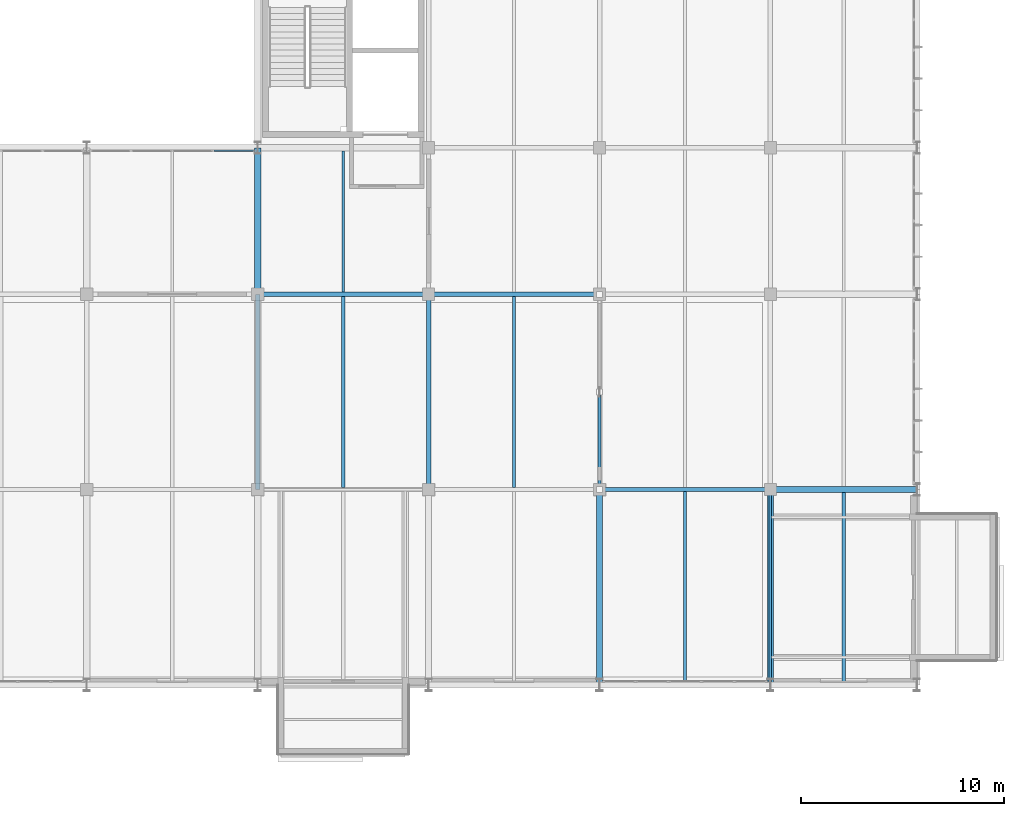
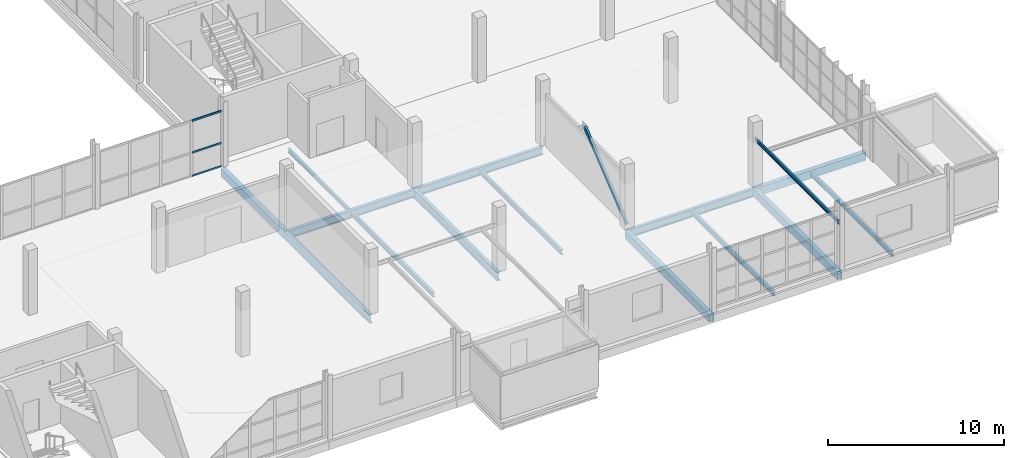
# One storey, part 82 of 130: 15 beams, 4 members, 1 element without a shape of its own.
"""IFC4 building model written with IfcOpenShell, lengths in metres."""

from ifc_helpers import new_model, si_unit, direction, frame, origin, origin_2d, place, context, subcontext, project, spatial, rectangle, hollow_rectangle, i_section, extrude, material, material_profile, profile_set, type_object, element, aggregate, save


model = new_model("IFC4")

# Units and contexts
model_context = context("Model", 3, precision=1e-05, world=origin(), true_north=direction((0.0, 1.0)))
body_context = subcontext(model_context, "Body", "Model", "MODEL_VIEW")
ifc_project = project(units=[si_unit("LENGTHUNIT", "METRE"), si_unit("AREAUNIT", "SQUARE_METRE"), si_unit("VOLUMEUNIT", "CUBIC_METRE"), si_unit("PLANEANGLEUNIT", "RADIAN"), si_unit("MASSUNIT", "GRAM", prefix="KILO")], contexts=[model_context])

# Site, building, storey
site_placement = place(None, origin())
site = spatial("IfcSite", under=ifc_project, at=site_placement, CompositionType="ELEMENT")
building_placement = place(site_placement, origin())
building = spatial("IfcBuilding", under=site, at=building_placement, Name="Veltarok Museum of Natural Sciences", CompositionType="ELEMENT")
storey_placement = place(building_placement, frame((0.0, 0.0, 12.89990234375)))
storey = spatial("IfcBuildingStorey", under=building, at=storey_placement, Name="L02", CompositionType="ELEMENT", Elevation=12.89990234375)

# Beams
ifc_material_1 = material(Name="Steel S355J2", Category="steel")
ifc_material_profile_1 = material_profile(ifc_material_1, i_section(OverallWidth=0.2099609375, OverallDepth=0.550048828125, WebThickness=0.010986328125, FlangeThickness=0.01708984375, FilletRadius=0.02392578125, at=origin_2d()), Name="IPE 550")
ifc_profile_set_1 = profile_set([ifc_material_profile_1], Name="Steel S355J2")
beam_type_1 = type_object("IfcBeamType", Name="Archive Heavy Girder IPE 550", PredefinedType="BEAM", material=ifc_profile_set_1)
for number, where, z_axis, x_axis, name in (
    (1, (149.199951171875, 9.60009765625, -0.52490234375), (1.0, 0.0, 0.0), (0.0, 1.0, 0.0), "Beam BM-G03 L02 18-19/B"),
    (2, (132.39990234375, 19.199951171875, -0.52490234375), (1.0, 0.0, 0.0), (0.0, 1.0, 0.0), "Beam BM-G03 L02 16-17/C"),
):
    element("IfcBeam", number, at=place(storey_placement, frame(where, z_axis=z_axis, x_axis=x_axis)), inside=storey, type_object=beam_type_1, Name=name, PredefinedType="BEAM", context=body_context, shape_type="SweptSolid", body=[
        extrude(i_section(OverallWidth=0.2099609375, OverallDepth=0.550048828125, WebThickness=0.010986328125, FlangeThickness=0.01708984375, FilletRadius=0.02392578125, at=origin_2d()), origin(), (0.0, 0.0, 1.0), 8.400146484375),
    ])
beam_1_placement = place(storey_placement, frame((140.800048828125, 19.199951171875, -0.52490234375), z_axis=(1.0, 0.0, 0.0), x_axis=(0.0, 1.0, 0.0)))
element("IfcBeam", 3, at=beam_1_placement, inside=storey, type_object=beam_type_1, Name="Beam BM-G03 L02 17-18/C", PredefinedType="BEAM", context=body_context, shape_type="SweptSolid", body=[
    extrude(i_section(OverallWidth=0.2099609375, OverallDepth=0.550048828125, WebThickness=0.010986328125, FlangeThickness=0.01708984375, FilletRadius=0.02392578125, at=origin_2d()), origin(), (0.0, 0.0, 1.0), 8.39990234375),
])
ifc_material_profile_2 = material_profile(ifc_material_1, i_section(OverallWidth=0.1201171875, OverallDepth=0.239990234375, WebThickness=0.006103515625, FlangeThickness=0.009765625, FilletRadius=0.014892578125, at=origin_2d()), Name="IPE 240")
ifc_profile_set_2 = profile_set([ifc_material_profile_2], Name="Steel S355J2")
beam_type_2 = type_object("IfcBeamType", Name="Cabinet Box Secondary Joist IPE 240", PredefinedType="JOIST", material=ifc_profile_set_2)
beam_2_placement = place(storey_placement, frame((157.60009765625, 0.0, 3.130126953125), z_axis=(0.0, 1.0, 0.0), x_axis=(-1.0, 0.0, 0.0)))
element("IfcBeam", 4, at=beam_2_placement, inside=storey, type_object=beam_type_2, Name="Cabinet Roof Tie Beam DB-31-I", PredefinedType="JOIST", context=body_context, shape_type="SweptSolid", body=[
    extrude(i_section(OverallWidth=0.1201171875, OverallDepth=0.239990234375, WebThickness=0.006103515625, FlangeThickness=0.009765625, FilletRadius=0.014892578125, at=origin_2d()), origin(), (0.0, 0.0, 1.0), 9.60009765625),
])

# Curtain wall, members
ifc_material_2 = material(Name="Low-iron triple insulated glass", Category="glass")
curtain_wall_type = type_object("IfcCurtainWallType", Name="Curtain Wall System CW-V5CN-L02-0-810x388 (CW-V5CN L02 810x388cm)", PredefinedType="NOTDEFINED", material=ifc_material_2)
curtain_wall_placement = place(storey_placement, origin())
curtain_wall = element("IfcCurtainWall", 5, at=curtain_wall_placement, inside=storey, type_object=curtain_wall_type, Name="Curtain Wall CW-V5CN-L02-0-810x388 CW-0192", PredefinedType="NOTDEFINED")
ifc_material_3 = material(Name="Thermally broken anodised aluminium", Category="aluminium")
ifc_material_profile_3 = material_profile(ifc_material_3, hollow_rectangle(XDim=0.06005859375, YDim=0.1201171875, WallThickness=0.0048828125, at=origin_2d()), Name="CW TRANSOM 60x120x5")
ifc_profile_set_3 = profile_set([ifc_material_profile_3], Name="Thermally broken anodised aluminium")
member_type_1 = type_object("IfcMemberType", Name="Curtain Wall Horizontal Transom 60x120x5", PredefinedType="USERDEFINED", material=ifc_profile_set_3)
member_1_placement = place(storey_placement, frame((132.18994140625, 26.25, 0.028076171875), z_axis=(-1.0, 0.0, 0.0), x_axis=(0.0, -1.0, 0.0)))
member_1 = element("IfcMember", 6, at=member_1_placement, type_object=member_type_1, Name="CW-V5CN-L02-0-810x388 transom 1.1", ObjectType="TRANSOM", PredefinedType="USERDEFINED", context=body_context, shape_type="SweptSolid", body=[
    extrude(hollow_rectangle(XDim=0.06005859375, YDim=0.1201171875, WallThickness=0.0048828125, at=origin_2d()), origin(), (0.0, 0.0, 1.0), 1.93505859375),
])
member_2_placement = place(storey_placement, frame((132.18994140625, 26.25, 1.648193359375), z_axis=(-1.0, 0.0, 0.0), x_axis=(0.0, -1.0, 0.0)))
member_2 = element("IfcMember", 7, at=member_2_placement, type_object=member_type_1, Name="CW-V5CN-L02-0-810x388 transom 1.2", ObjectType="TRANSOM", PredefinedType="USERDEFINED", context=body_context, shape_type="SweptSolid", body=[
    extrude(hollow_rectangle(XDim=0.06005859375, YDim=0.1201171875, WallThickness=0.0048828125, at=origin_2d()), origin(), (0.0, 0.0, 1.0), 1.93505859375),
])
member_3_placement = place(storey_placement, frame((132.18994140625, 26.25, 3.85009765625), z_axis=(-1.0, 0.0, 0.0), x_axis=(0.0, -1.0, 0.0)))
member_3 = element("IfcMember", 8, at=member_3_placement, type_object=member_type_1, Name="CW-V5CN-L02-0-810x388 transom 1.3", ObjectType="TRANSOM", PredefinedType="USERDEFINED", context=body_context, shape_type="SweptSolid", body=[
    extrude(hollow_rectangle(XDim=0.06005859375, YDim=0.1201171875, WallThickness=0.0048828125, at=origin_2d()), origin(), (0.0, 0.0, 1.0), 1.93505859375),
])
aggregate(curtain_wall, [member_1, member_2, member_3])

# Beams
ifc_material_4 = material(Name="Precast concrete C40/50", Category="concrete")
ifc_material_profile_4 = material_profile(ifc_material_4, rectangle(XDim=0.300048828125, YDim=0.550048828125, at=origin_2d()), Name="RC 300x550")
ifc_profile_set_4 = profile_set([ifc_material_profile_4], Name="Precast concrete C40/50")
beam_type_3 = type_object("IfcBeamType", Name="East Wing Precast Spandrel RC 300x550", PredefinedType="SPANDREL", material=ifc_profile_set_4)
for number, where, z_axis, x_axis, name in (
    (9, (157.60009765625, 9.60009765625, -0.52490234375), (1.0, 0.0, 0.0), (0.0, 1.0, 0.0), "Beam BM-SP02 L02 19-20/B"),
    (10, (132.39990234375, 19.199951171875, -0.52490234375), (0.0, 1.0, 0.0), (-1.0, 0.0, 0.0), "Beam BM-SP02 L02 16/C-D"),
):
    element("IfcBeam", number, at=place(storey_placement, frame(where, z_axis=z_axis, x_axis=x_axis)), inside=storey, type_object=beam_type_3, Name=name, PredefinedType="SPANDREL", context=body_context, shape_type="SweptSolid", body=[
        extrude(rectangle(XDim=0.300048828125, YDim=0.550048828125, at=origin_2d()), origin(), (0.0, 0.0, 1.0), 7.199951171875),
    ])
for number, where, z_axis, x_axis, name in (
    (11, (149.199951171875, 0.0, -0.52490234375), (0.0, 1.0, 0.0), (-1.0, 0.0, 0.0), "Beam BM-SP02 L02 18/A-B"),
    (12, (157.60009765625, 0.0, -0.52490234375), (0.0, 1.0, 0.0), (-1.0, 0.0, 0.0), "Beam BM-SP02 L02 19/A-B"),
):
    element("IfcBeam", number, at=place(storey_placement, frame(where, z_axis=z_axis, x_axis=x_axis)), inside=storey, type_object=beam_type_3, Name=name, PredefinedType="SPANDREL", context=body_context, shape_type="SweptSolid", body=[
        extrude(rectangle(XDim=0.300048828125, YDim=0.550048828125, at=origin_2d()), origin(), (0.0, 0.0, 1.0), 9.60009765625),
    ])
ifc_material_profile_5 = material_profile(ifc_material_1, i_section(OverallWidth=0.159912109375, OverallDepth=0.330078125, WebThickness=0.007568359375, FlangeThickness=0.011474609375, FilletRadius=0.01806640625, at=origin_2d()), Name="IPE 330")
ifc_profile_set_5 = profile_set([ifc_material_profile_5], Name="Steel S355J2")
beam_type_4 = type_object("IfcBeamType", Name="Medium-Bay Composite Joist IPE 330", PredefinedType="JOIST", material=ifc_profile_set_5)
for number, where, z_axis, x_axis, name in (
    (13, (136.60009765625, 9.702880859375, -0.414794921875), (0.0, 1.0, 0.0), (-1.0, 0.0, 0.0), "Secondary Joist BM-J02 L02 16-17/B-C.1"),
    (14, (145.0, 9.702880859375, -0.414794921875), (0.0, 1.0, 0.0), (-1.0, 0.0, 0.0), "Secondary Joist BM-J02 L02 17-18/B-C.1"),
):
    element("IfcBeam", number, at=place(storey_placement, frame(where, z_axis=z_axis, x_axis=x_axis)), inside=storey, type_object=beam_type_4, Name=name, PredefinedType="JOIST", context=body_context, shape_type="SweptSolid", body=[
        extrude(i_section(OverallWidth=0.159912109375, OverallDepth=0.330078125, WebThickness=0.007568359375, FlangeThickness=0.011474609375, FilletRadius=0.01806640625, at=origin_2d()), origin(), (0.0, 0.0, 1.0), 9.39404296875),
    ])
beam_3_placement = place(storey_placement, frame((153.39990234375, 0.14794921875, -0.414794921875), z_axis=(0.0, 1.0, 0.0), x_axis=(-1.0, 0.0, 0.0)))
element("IfcBeam", 15, at=beam_3_placement, inside=storey, type_object=beam_type_4, Name="Secondary Joist BM-J02 L02 18-19/A-B.1", PredefinedType="JOIST", context=body_context, shape_type="SweptSolid", body=[
    extrude(i_section(OverallWidth=0.159912109375, OverallDepth=0.330078125, WebThickness=0.007568359375, FlangeThickness=0.011474609375, FilletRadius=0.01806640625, at=origin_2d()), origin(), (0.0, 0.0, 1.0), 9.34912109375),
])
beam_4_placement = place(storey_placement, frame((161.199951171875, 0.14794921875, -0.414794921875), z_axis=(0.0, 1.0, 0.0), x_axis=(-1.0, 0.0, 0.0)))
element("IfcBeam", 16, at=beam_4_placement, inside=storey, type_object=beam_type_4, Name="Secondary Joist BM-J02 L02 19-20/A-B.1", PredefinedType="JOIST", context=body_context, shape_type="SweptSolid", body=[
    extrude(i_section(OverallWidth=0.159912109375, OverallDepth=0.330078125, WebThickness=0.007568359375, FlangeThickness=0.011474609375, FilletRadius=0.01806640625, at=origin_2d()), origin(), (0.0, 0.0, 1.0), 9.303955078125),
])

# Member
ifc_material_5 = material(Name="Oxide-red painted Steel S355J2", Category="steel")
ifc_material_profile_6 = material_profile(ifc_material_5, hollow_rectangle(XDim=0.14990234375, YDim=0.25, WallThickness=0.010009765625, at=origin_2d()), Name="RHS 250x150x10")
ifc_profile_set_6 = profile_set([ifc_material_profile_6], Name="Oxide-red painted Steel S355J2")
member_type_2 = type_object("IfcMemberType", Name="Perimeter Frame Lateral Brace RHS 250x150x10", PredefinedType="BRACE", material=ifc_profile_set_6)
member_4_placement = place(storey_placement, frame((149.199951171875, 9.60009765625, 0.150146484375), z_axis=(0.0, 0.778487310592, 0.627660343855), x_axis=(-1.0, 0.0, 0.0)))
element("IfcMember", 17, at=member_4_placement, inside=storey, type_object=member_type_2, Name="Chevron Lateral Brace L02 18/B-C", PredefinedType="BRACE", context=body_context, shape_type="SweptSolid", body=[
    extrude(hollow_rectangle(XDim=0.14990234375, YDim=0.25, WallThickness=0.010009765625, at=origin_2d()), origin(), (0.0, 0.0, 1.0), 6.16552734375),
])

# Beams
ifc_material_profile_7 = material_profile(ifc_material_1, i_section(OverallWidth=0.219970703125, OverallDepth=0.60009765625, WebThickness=0.011962890625, FlangeThickness=0.01904296875, FilletRadius=0.02392578125, at=origin_2d()), Name="IPE 600")
ifc_profile_set_7 = profile_set([ifc_material_profile_7], Name="Steel S355J2")
beam_type_5 = type_object("IfcBeamType", Name="Primary Museum Girder IPE 600", PredefinedType="BEAM", material=ifc_profile_set_7)
for number, where, z_axis, x_axis, name in (
    (18, (132.39990234375, 9.60009765625, -0.5498046875), (0.0, 1.0, 0.0), (-1.0, 0.0, 0.0), "Beam BM-G02 L02 16/B-C"),
    (19, (140.800048828125, 9.60009765625, -0.5498046875), (0.0, 1.0, 0.0), (-1.0, 0.0, 0.0), "Beam BM-G02 L02 17/B-C"),
):
    element("IfcBeam", number, at=place(storey_placement, frame(where, z_axis=z_axis, x_axis=x_axis)), inside=storey, type_object=beam_type_5, Name=name, PredefinedType="BEAM", context=body_context, shape_type="SweptSolid", body=[
        extrude(i_section(OverallWidth=0.219970703125, OverallDepth=0.60009765625, WebThickness=0.011962890625, FlangeThickness=0.01904296875, FilletRadius=0.02392578125, at=origin_2d()), origin(), (0.0, 0.0, 1.0), 9.599853515625),
    ])
ifc_material_profile_8 = material_profile(ifc_material_1, i_section(OverallWidth=0.135009765625, OverallDepth=0.27001953125, WebThickness=0.006591796875, FlangeThickness=0.01025390625, FilletRadius=0.014892578125, at=origin_2d()), Name="IPE 270")
ifc_profile_set_8 = profile_set([ifc_material_profile_8], Name="Steel S355J2")
beam_type_6 = type_object("IfcBeamType", Name="Short-Bay Composite Joist IPE 270", PredefinedType="JOIST", material=ifc_profile_set_8)
beam_5_placement = place(storey_placement, frame((136.60009765625, 19.302978515625, -0.385009765625), z_axis=(0.0, 1.0, 0.0), x_axis=(-1.0, 0.0, 0.0)))
element("IfcBeam", 20, at=beam_5_placement, inside=storey, type_object=beam_type_6, Name="Secondary Joist BM-J04 L02 16-17/C-D.1", PredefinedType="JOIST", context=body_context, shape_type="SweptSolid", body=[
    extrude(i_section(OverallWidth=0.135009765625, OverallDepth=0.27001953125, WebThickness=0.006591796875, FlangeThickness=0.01025390625, FilletRadius=0.014892578125, at=origin_2d()), origin(), (0.0, 0.0, 1.0), 6.948974609375),
])

save(model, "model.ifc")
